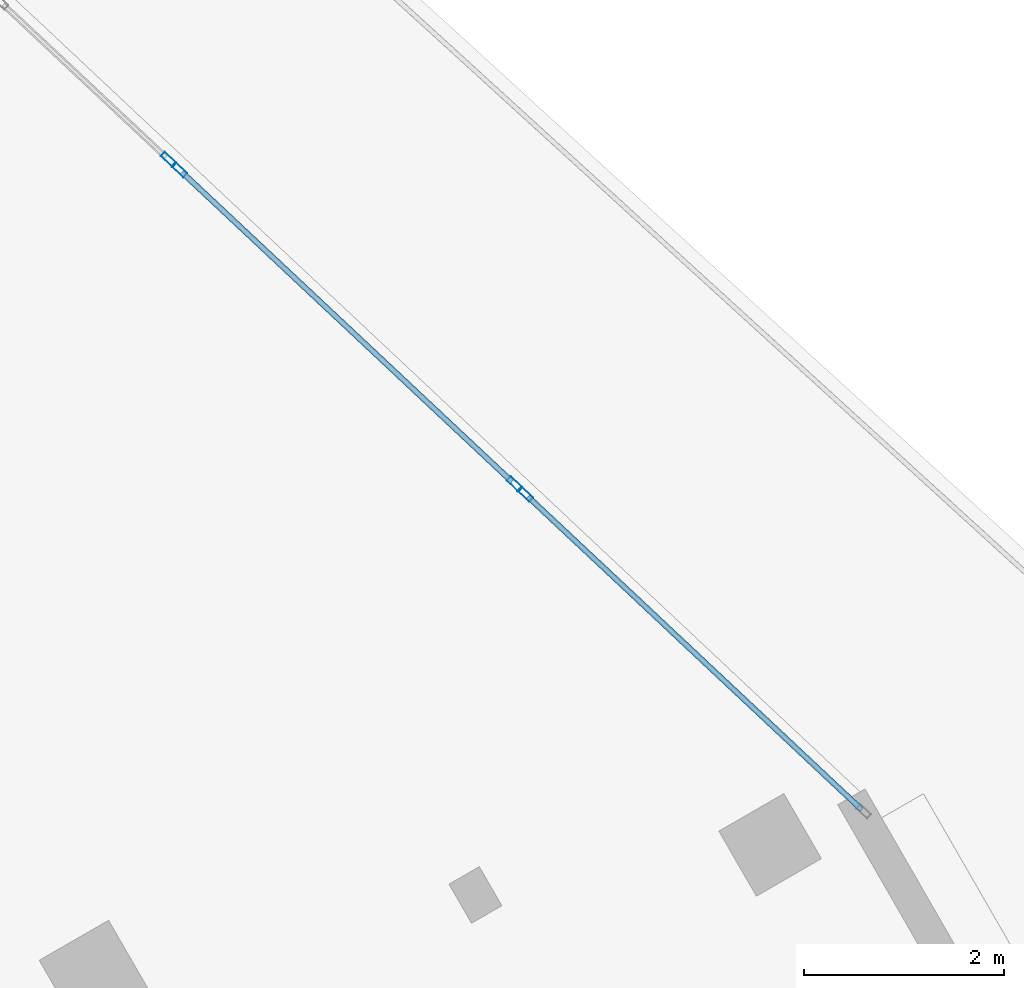
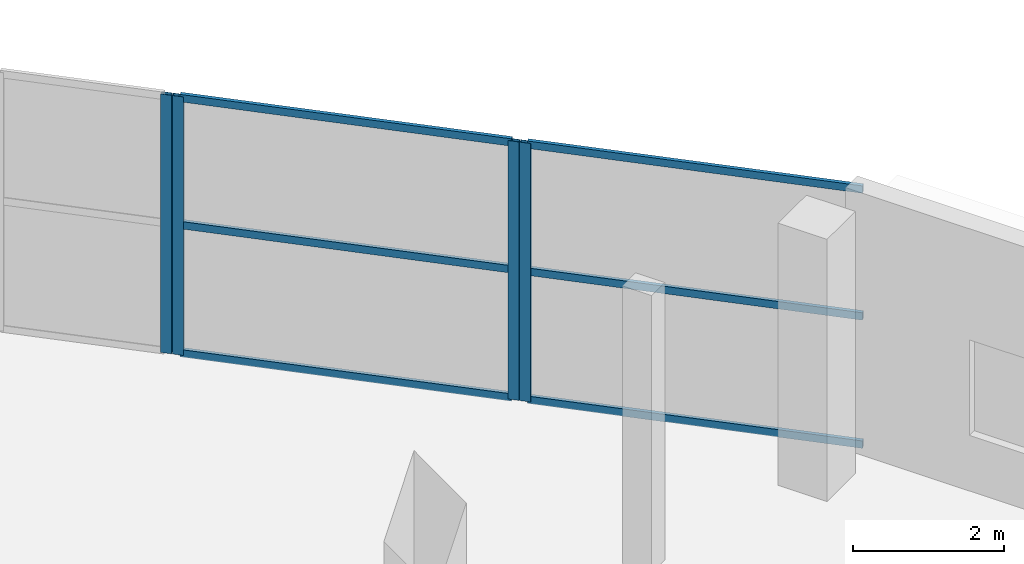
# One storey, part 61 of 107: 10 members, 3 elements without a shape of their own.
"""IFC4 building model written with IfcOpenShell, lengths in metres."""

from ifc_helpers import new_model, si_unit, direction, frame, origin, origin_2d, place, context, subcontext, project, spatial, hollow_rectangle, extrude, material, layer, layer_set, material_profile, profile_set, type_object, element, aggregate, save


model = new_model("IFC4")

# Units and contexts
model_context = context("Model", 3, precision=1e-05, world=origin(), true_north=direction((0.0, 1.0)))
body_context = subcontext(model_context, "Body", "Model", "MODEL_VIEW")
ifc_project = project(units=[si_unit("LENGTHUNIT", "METRE"), si_unit("AREAUNIT", "SQUARE_METRE"), si_unit("VOLUMEUNIT", "CUBIC_METRE"), si_unit("PLANEANGLEUNIT", "RADIAN"), si_unit("MASSUNIT", "GRAM", prefix="KILO")], contexts=[model_context])

# Site, building, storey
site_placement = place(None, origin())
site = spatial("IfcSite", under=ifc_project, at=site_placement, CompositionType="ELEMENT")
building_placement = place(site_placement, origin())
building = spatial("IfcBuilding", under=site, at=building_placement, Name="Kalgoora Escarpment Arena", CompositionType="ELEMENT")
storey_placement = place(building_placement, frame((0.0, 0.0, 5.39990234375)))
storey = spatial("IfcBuildingStorey", under=building, at=storey_placement, Name="L01", CompositionType="ELEMENT", Elevation=5.39990234375)

# Curtain wall, member
ifc_material_1 = material(Name=" Champagne anodised aluminium & double-glazed low-E", Category="aluminium")
ifc_layer_1 = layer(ifc_material_1, 0.154052734375)
ifc_layer_set_1 = layer_set([ifc_layer_1], Name="CW-UNIT-11")
curtain_wall_type_1 = type_object("IfcCurtainWallType", Name="CW-UNIT-11", PredefinedType="NOTDEFINED", material=ifc_layer_set_1)
curtain_wall_1_placement = place(storey_placement, origin())
curtain_wall_1 = element("IfcCurtainWall", 1, at=curtain_wall_1_placement, inside=storey, type_object=curtain_wall_type_1, Name="L01 unitised facade curtain wall 030", PredefinedType="NOTDEFINED")
ifc_material_2 = material(Name="Anodised aluminium 6063-T6", Category="aluminium")
ifc_material_profile_1 = material_profile(ifc_material_2, hollow_rectangle(XDim=0.06005859375, YDim=0.14990234375, WallThickness=0.00341796875, at=origin_2d()))
ifc_profile_set_1 = profile_set([ifc_material_profile_1], Name="Anodised aluminium 6063-T6")
member_type_1 = type_object("IfcMemberType", Name="MEM-CW-MULL-150", PredefinedType="MULLION", material=ifc_profile_set_1)
member_1_placement = place(storey_placement, frame((160.69091796875, 101.74951171875, 0.02001953125), z_axis=(0.0, 0.0, 1.0), x_axis=(0.684029332713, 0.729454503029, 0.0)))
member_1 = element("IfcMember", 2, at=member_1_placement, type_object=member_type_1, Name="CW-11 mullion 3", PredefinedType="MULLION", context=body_context, shape_type="SweptSolid", body=[
    extrude(hollow_rectangle(XDim=0.06005859375, YDim=0.14990234375, WallThickness=0.00341796875, at=origin_2d()), origin(), (0.0, 0.0, 1.0), 4.190185546875),
])
aggregate(curtain_wall_1, [member_1])

# Curtain wall, members
ifc_material_3 = material(Name=" Champagne anodised aluminium & double-glazed low-E", Category="aluminium")
ifc_layer_2 = layer(ifc_material_3, 0.157958984375)
ifc_layer_set_2 = layer_set([ifc_layer_2], Name="CW-UNIT-12")
curtain_wall_type_2 = type_object("IfcCurtainWallType", Name="CW-UNIT-12", PredefinedType="NOTDEFINED", material=ifc_layer_set_2)
curtain_wall_2_placement = place(storey_placement, origin())
curtain_wall_2 = element("IfcCurtainWall", 3, at=curtain_wall_2_placement, inside=storey, type_object=curtain_wall_type_2, Name="L01 unitised facade curtain wall 031", PredefinedType="NOTDEFINED")
member_2_placement = place(storey_placement, frame((160.807373046875, 101.64013671875, 0.02001953125), z_axis=(0.0, 0.0, 1.0), x_axis=(0.68401857546, 0.729464590248, 0.0)))
member_2 = element("IfcMember", 4, at=member_2_placement, type_object=member_type_1, Name="CW-12 mullion 1", PredefinedType="MULLION", context=body_context, shape_type="SweptSolid", body=[
    extrude(hollow_rectangle(XDim=0.06005859375, YDim=0.14990234375, WallThickness=0.00341796875, at=origin_2d()), origin(), (0.0, 0.0, 1.0), 4.190185546875),
])
member_3_placement = place(storey_placement, frame((164.147216796875, 98.50830078125, 0.02001953125), z_axis=(0.0, 0.0, 1.0), x_axis=(0.68401857546, 0.729464590248, 0.0)))
member_3 = element("IfcMember", 5, at=member_3_placement, type_object=member_type_1, Name="CW-12 mullion 2", PredefinedType="MULLION", context=body_context, shape_type="SweptSolid", body=[
    extrude(hollow_rectangle(XDim=0.06005859375, YDim=0.14990234375, WallThickness=0.00341796875, at=origin_2d()), origin(), (0.0, 0.0, 1.0), 4.190185546875),
])

# Curtain wall, member
ifc_material_4 = material(Name=" Champagne anodised aluminium & double-glazed low-E", Category="aluminium")
ifc_layer_3 = layer(ifc_material_4, 0.162109375)
ifc_layer_set_3 = layer_set([ifc_layer_3], Name="CW-UNIT-13")
curtain_wall_type_3 = type_object("IfcCurtainWallType", Name="CW-UNIT-13", PredefinedType="NOTDEFINED", material=ifc_layer_set_3)
curtain_wall_3_placement = place(storey_placement, origin())
curtain_wall_3 = element("IfcCurtainWall", 6, at=curtain_wall_3_placement, inside=storey, type_object=curtain_wall_type_3, Name="L01 unitised facade curtain wall 032", PredefinedType="NOTDEFINED")
member_4_placement = place(storey_placement, frame((164.263916015625, 98.39892578125, 0.02001953125), z_axis=(0.0, 0.0, 1.0), x_axis=(0.684026263501, 0.7294573811, 0.0)))
member_4 = element("IfcMember", 7, at=member_4_placement, type_object=member_type_1, Name="CW-13 mullion 1", PredefinedType="MULLION", context=body_context, shape_type="SweptSolid", body=[
    extrude(hollow_rectangle(XDim=0.06005859375, YDim=0.14990234375, WallThickness=0.00341796875, at=origin_2d()), origin(), (0.0, 0.0, 1.0), 4.190185546875),
])

# Member
ifc_material_5 = material(Name="Anodised aluminium 6063-T6", Category="aluminium")
ifc_material_profile_2 = material_profile(ifc_material_5, hollow_rectangle(XDim=0.054931640625, YDim=0.1201171875, WallThickness=0.003173828125, at=origin_2d()))
ifc_profile_set_2 = profile_set([ifc_material_profile_2], Name="Anodised aluminium 6063-T6")
member_type_2 = type_object("IfcMemberType", Name="MEM-CW-TRAN-120", PredefinedType="USERDEFINED", material=ifc_profile_set_2)
member_5_placement = place(storey_placement, frame((160.829345703125, 101.61962890625, 0.047607421875), z_axis=(0.729488337425, -0.683993249646, 0.0), x_axis=(0.683993249646, 0.729488337425, 0.0)))
member_5 = element("IfcMember", 8, at=member_5_placement, type_object=member_type_2, Name="CW-12 transom 1.1", ObjectType="TRANSOM", PredefinedType="USERDEFINED", context=body_context, shape_type="SweptSolid", body=[
    extrude(hollow_rectangle(XDim=0.054931640625, YDim=0.1201171875, WallThickness=0.003173828125, at=origin_2d()), origin(), (0.0, 0.0, 1.0), 4.518310546875),
])

member_6_placement = place(storey_placement, frame((160.829345703125, 101.61962890625, 2.125), z_axis=(0.729488337425, -0.683993249646, 0.0), x_axis=(0.683993249646, 0.729488337425, 0.0)))
member_6 = element("IfcMember", 9, at=member_6_placement, type_object=member_type_2, Name="CW-12 transom 1.2", ObjectType="TRANSOM", PredefinedType="USERDEFINED", context=body_context, shape_type="SweptSolid", body=[
    extrude(hollow_rectangle(XDim=0.054931640625, YDim=0.1201171875, WallThickness=0.003173828125, at=origin_2d()), origin(), (0.0, 0.0, 1.0), 4.518310546875),
])

member_7_placement = place(storey_placement, frame((160.829345703125, 101.61962890625, 4.1826171875), z_axis=(0.729488337425, -0.683993249646, 0.0), x_axis=(0.683993249646, 0.729488337425, 0.0)))
member_7 = element("IfcMember", 10, at=member_7_placement, type_object=member_type_2, Name="CW-12 transom 1.3", ObjectType="TRANSOM", PredefinedType="USERDEFINED", context=body_context, shape_type="SweptSolid", body=[
    extrude(hollow_rectangle(XDim=0.054931640625, YDim=0.1201171875, WallThickness=0.003173828125, at=origin_2d()), origin(), (0.0, 0.0, 1.0), 4.518310546875),
])

aggregate(curtain_wall_2, [member_2, member_3, member_5, member_6, member_7])

member_8_placement = place(storey_placement, frame((164.285888671875, 98.37841796875, 0.047607421875), z_axis=(0.729480537776, -0.684001567985, 0.0), x_axis=(0.684001567985, 0.729480537776, 0.0)))
member_8 = element("IfcMember", 11, at=member_8_placement, type_object=member_type_2, Name="CW-13 transom 1.1", ObjectType="TRANSOM", PredefinedType="USERDEFINED", context=body_context, shape_type="SweptSolid", body=[
    extrude(hollow_rectangle(XDim=0.054931640625, YDim=0.1201171875, WallThickness=0.003173828125, at=origin_2d()), origin(), (0.0, 0.0, 1.0), 4.568359375),
])

member_9_placement = place(storey_placement, frame((164.285888671875, 98.37841796875, 2.125), z_axis=(0.729480537776, -0.684001567985, 0.0), x_axis=(0.684001567985, 0.729480537776, 0.0)))
member_9 = element("IfcMember", 12, at=member_9_placement, type_object=member_type_2, Name="CW-13 transom 1.2", ObjectType="TRANSOM", PredefinedType="USERDEFINED", context=body_context, shape_type="SweptSolid", body=[
    extrude(hollow_rectangle(XDim=0.054931640625, YDim=0.1201171875, WallThickness=0.003173828125, at=origin_2d()), origin(), (0.0, 0.0, 1.0), 4.568359375),
])

member_10_placement = place(storey_placement, frame((164.285888671875, 98.37841796875, 4.1826171875), z_axis=(0.729480537776, -0.684001567985, 0.0), x_axis=(0.684001567985, 0.729480537776, 0.0)))
member_10 = element("IfcMember", 13, at=member_10_placement, type_object=member_type_2, Name="CW-13 transom 1.3", ObjectType="TRANSOM", PredefinedType="USERDEFINED", context=body_context, shape_type="SweptSolid", body=[
    extrude(hollow_rectangle(XDim=0.054931640625, YDim=0.1201171875, WallThickness=0.003173828125, at=origin_2d()), origin(), (0.0, 0.0, 1.0), 4.568359375),
])

aggregate(curtain_wall_3, [member_4, member_8, member_9, member_10])

save(model, "model.ifc")
